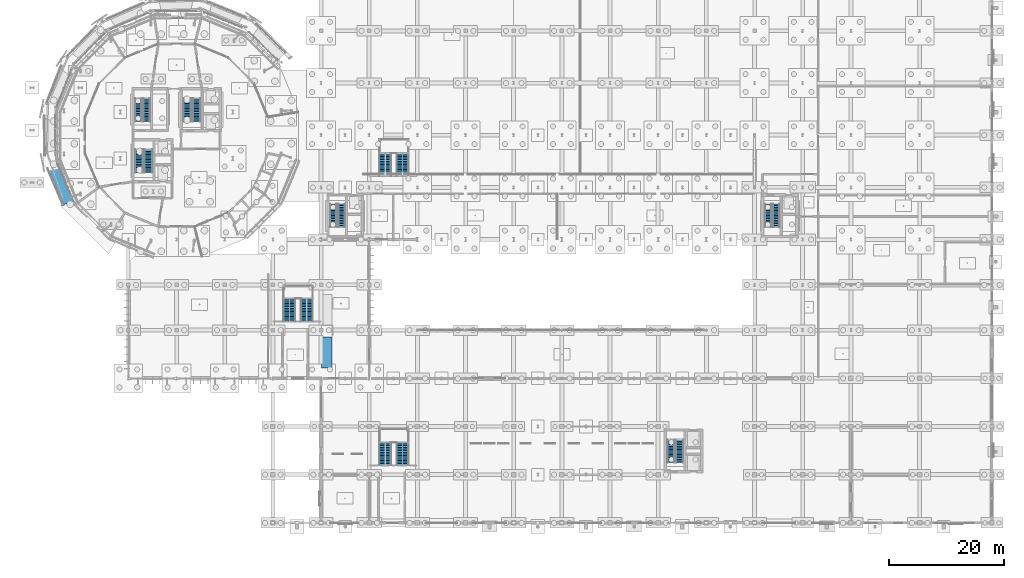
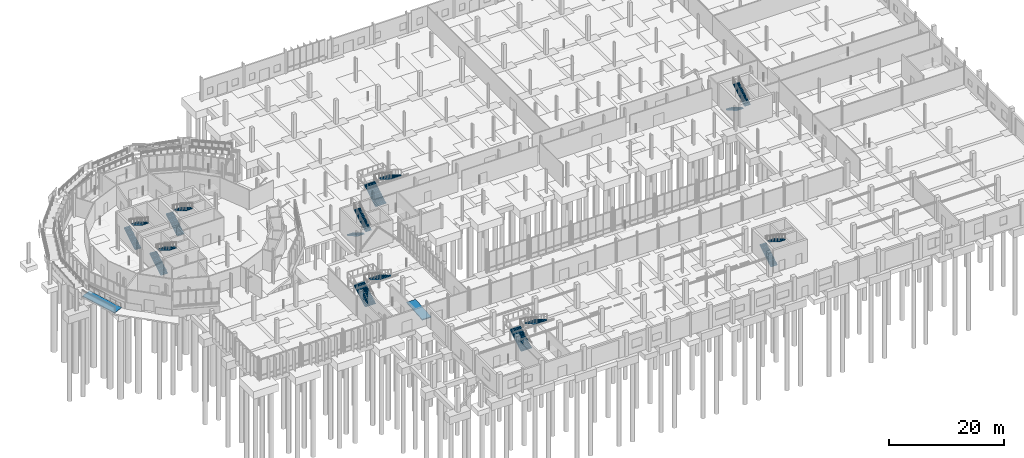
# One storey, part 90 of 119: 18 stair flights, 2 ramp flights, 11 elements without a shape of their own.
"""IFC4 building model written with IfcOpenShell, lengths in metres."""

from ifc_helpers import new_model, si_unit, derived_unit, direction, frame, origin, place, context, subcontext, project, spatial, polyline, outline, extrude, material, layer, layer_set, type_object, element, aggregate, save


model = new_model("IFC4")

# Units and contexts
model_context = context("Model", 3, precision=1e-05, world=origin(), true_north=direction((0.0, 1.0)))
body_context = subcontext(model_context, "Body", "Model", "MODEL_VIEW")
ifc_project = project(units=[si_unit("LENGTHUNIT", "METRE"), si_unit("AREAUNIT", "SQUARE_METRE"), si_unit("VOLUMEUNIT", "CUBIC_METRE"), si_unit("PLANEANGLEUNIT", "RADIAN"), si_unit("MASSUNIT", "GRAM", prefix="KILO"), derived_unit("THERMALTRANSMITTANCEUNIT", [(si_unit("MASSUNIT", "GRAM", prefix="KILO"), 1), (si_unit("TIMEUNIT", "SECOND"), -3), (si_unit("THERMODYNAMICTEMPERATUREUNIT", "KELVIN"), -1)])], contexts=[model_context])

# Site, building, storey
site_placement = place(None, origin())
site = spatial("IfcSite", under=ifc_project, at=site_placement, CompositionType="ELEMENT")
building_placement = place(site_placement, origin())
building = spatial("IfcBuilding", under=site, at=building_placement, Name="Makaiwela Harbour Ferry Terminal", CompositionType="ELEMENT")
storey_placement = place(building_placement, origin())
storey = spatial("IfcBuildingStorey", under=building, at=storey_placement, Name="L00", CompositionType="ELEMENT", Elevation=0.0)

# Stair, stair flights
ifc_material = material(Name="Concrete f'c 35 MPa (5000 psi)", Category="concrete")
stair_type_1 = type_object("IfcStairType", Name="CIR-STR-A01", PredefinedType="HALF_TURN_STAIR", material=ifc_material)
stair_1_placement = place(storey_placement, origin())
stair_1 = element("IfcStair", 1, at=stair_1_placement, inside=storey, type_object=stair_type_1, Name="Stair ST-01-L00", PredefinedType="HALF_TURN_STAIR")
stair_flight_type_1 = type_object("IfcStairFlightType", Name="CIR-FLT-F01", PredefinedType="STRAIGHT", material=ifc_material)
stair_flight_1_placement = place(storey_placement, frame((39.657958984375, 70.0, 0.0), z_axis=(0.0, 0.0, 1.0), x_axis=(0.0, 1.0, 0.0)))
stair_flight_1 = element("IfcStairFlight", 2, at=stair_flight_1_placement, type_object=stair_flight_type_1, Name="Stair Flight ST-01-L00-F1", NumberOfRisers=15, NumberOfTreads=14, PredefinedType="STRAIGHT", RiserHeight=0.17, TreadLength=0.285, context=body_context, shape_type="SweptSolid", body=[
    extrude(outline(polyline([(0.0, 0.0), (0.0, 0.169921875), (0.284912109375, 0.169921875), (0.284912109375, 0.340087890625), (0.570068359375, 0.340087890625), (0.570068359375, 0.510009765625), (0.85498046875, 0.510009765625), (0.85498046875, 0.679931640625), (1.139892578125, 0.679931640625), (1.139892578125, 0.85009765625), (1.425048828125, 0.85009765625), (1.425048828125, 1.02001953125), (1.7099609375, 1.02001953125), (1.7099609375, 1.18994140625), (1.9951171875, 1.18994140625), (1.9951171875, 1.360107421875), (2.280029296875, 1.360107421875), (2.280029296875, 1.530029296875), (2.56494140625, 1.530029296875), (2.56494140625, 1.699951171875), (2.85009765625, 1.699951171875), (2.85009765625, 1.8701171875), (3.135009765625, 1.8701171875), (3.135009765625, 2.0400390625), (3.419921875, 2.0400390625), (3.419921875, 2.2099609375), (3.705078125, 2.2099609375), (3.705078125, 2.3798828125), (3.989990234375, 2.3798828125), (3.989990234375, 2.550048828125), (3.989990234375, 2.17041015625), (0.351318359375, 0.0), (0.0, 0.0)])), frame((0.0, 0.697998046875, 0.0), z_axis=(0.0, -1.0, 0.0), x_axis=(1.0, 0.0, 0.0)), (0.0, 0.0, 1.0), 1.39599609375),
])
stair_flight_2_placement = place(storey_placement, frame((41.333984375, 73.989990234375, 2.550048828125), z_axis=(0.0, 0.0, 1.0), x_axis=(0.0, -1.0, 0.0)))
stair_flight_2 = element("IfcStairFlight", 3, at=stair_flight_2_placement, type_object=stair_flight_type_1, Name="Stair Flight ST-01-L00-F2", NumberOfRisers=15, NumberOfTreads=14, PredefinedType="STRAIGHT", RiserHeight=0.17, TreadLength=0.285, context=body_context, shape_type="SweptSolid", body=[
    extrude(outline(polyline([(0.0, 0.0), (0.0, 0.169921875), (0.284912109375, 0.169921875), (0.284912109375, 0.340087890625), (0.570068359375, 0.340087890625), (0.570068359375, 0.510009765625), (0.85498046875, 0.510009765625), (0.85498046875, 0.679931640625), (1.139892578125, 0.679931640625), (1.139892578125, 0.85009765625), (1.425048828125, 0.85009765625), (1.425048828125, 1.02001953125), (1.7099609375, 1.02001953125), (1.7099609375, 1.18994140625), (1.9951171875, 1.18994140625), (1.9951171875, 1.360107421875), (2.280029296875, 1.360107421875), (2.280029296875, 1.530029296875), (2.56494140625, 1.530029296875), (2.56494140625, 1.699951171875), (2.85009765625, 1.699951171875), (2.85009765625, 1.8701171875), (3.135009765625, 1.8701171875), (3.135009765625, 2.0400390625), (3.419921875, 2.0400390625), (3.419921875, 2.2099609375), (3.705078125, 2.2099609375), (3.705078125, 2.3798828125), (3.989990234375, 2.3798828125), (3.989990234375, 2.550048828125), (3.989990234375, 2.17041015625), (0.351318359375, 0.0), (0.0, 0.0)])), frame((0.0, 0.697998046875, 0.0), z_axis=(0.0, -1.0, 0.0), x_axis=(1.0, 0.0, 0.0)), (0.0, 0.0, 1.0), 1.39599609375),
])
aggregate(stair_1, [stair_flight_1, stair_flight_2])

stair_2_placement = place(storey_placement, origin())
stair_2 = element("IfcStair", 4, at=stair_2_placement, inside=storey, type_object=stair_type_1, Name="Stair ST-02-L00", PredefinedType="HALF_TURN_STAIR")
stair_flight_3_placement = place(storey_placement, frame((31.258056640625, 61.10009765625, 0.0), z_axis=(0.0, 0.0, 1.0), x_axis=(0.0, 1.0, 0.0)))
stair_flight_3 = element("IfcStairFlight", 5, at=stair_flight_3_placement, type_object=stair_flight_type_1, Name="Stair Flight ST-02-L00-F1", NumberOfRisers=15, NumberOfTreads=14, PredefinedType="STRAIGHT", RiserHeight=0.17, TreadLength=0.285, context=body_context, shape_type="SweptSolid", body=[
    extrude(outline(polyline([(0.0, 0.0), (0.0, 0.169921875), (0.284912109375, 0.169921875), (0.284912109375, 0.340087890625), (0.570068359375, 0.340087890625), (0.570068359375, 0.510009765625), (0.85498046875, 0.510009765625), (0.85498046875, 0.679931640625), (1.139892578125, 0.679931640625), (1.139892578125, 0.85009765625), (1.425048828125, 0.85009765625), (1.425048828125, 1.02001953125), (1.7099609375, 1.02001953125), (1.7099609375, 1.18994140625), (1.9951171875, 1.18994140625), (1.9951171875, 1.360107421875), (2.280029296875, 1.360107421875), (2.280029296875, 1.530029296875), (2.56494140625, 1.530029296875), (2.56494140625, 1.699951171875), (2.85009765625, 1.699951171875), (2.85009765625, 1.8701171875), (3.135009765625, 1.8701171875), (3.135009765625, 2.0400390625), (3.419921875, 2.0400390625), (3.419921875, 2.2099609375), (3.705078125, 2.2099609375), (3.705078125, 2.3798828125), (3.989990234375, 2.3798828125), (3.989990234375, 2.550048828125), (3.989990234375, 2.17041015625), (0.351318359375, 0.0), (0.0, 0.0)])), frame((0.0, 0.697998046875, 0.0), z_axis=(0.0, -1.0, 0.0), x_axis=(1.0, 0.0, 0.0)), (0.0, 0.0, 1.0), 1.39599609375),
])
stair_flight_4_placement = place(storey_placement, frame((32.93408203125, 65.090087890625, 2.550048828125), z_axis=(0.0, 0.0, 1.0), x_axis=(0.0, -1.0, 0.0)))
stair_flight_4 = element("IfcStairFlight", 6, at=stair_flight_4_placement, type_object=stair_flight_type_1, Name="Stair Flight ST-02-L00-F2", NumberOfRisers=15, NumberOfTreads=14, PredefinedType="STRAIGHT", RiserHeight=0.17, TreadLength=0.285, context=body_context, shape_type="SweptSolid", body=[
    extrude(outline(polyline([(0.0, 0.0), (0.0, 0.169921875), (0.284912109375, 0.169921875), (0.284912109375, 0.340087890625), (0.570068359375, 0.340087890625), (0.570068359375, 0.510009765625), (0.85498046875, 0.510009765625), (0.85498046875, 0.679931640625), (1.139892578125, 0.679931640625), (1.139892578125, 0.85009765625), (1.425048828125, 0.85009765625), (1.425048828125, 1.02001953125), (1.7099609375, 1.02001953125), (1.7099609375, 1.18994140625), (1.9951171875, 1.18994140625), (1.9951171875, 1.360107421875), (2.280029296875, 1.360107421875), (2.280029296875, 1.530029296875), (2.56494140625, 1.530029296875), (2.56494140625, 1.699951171875), (2.85009765625, 1.699951171875), (2.85009765625, 1.8701171875), (3.135009765625, 1.8701171875), (3.135009765625, 2.0400390625), (3.419921875, 2.0400390625), (3.419921875, 2.2099609375), (3.705078125, 2.2099609375), (3.705078125, 2.3798828125), (3.989990234375, 2.3798828125), (3.989990234375, 2.550048828125), (3.989990234375, 2.17041015625), (0.351318359375, 0.0), (0.0, 0.0)])), frame((0.0, 0.697998046875, 0.0), z_axis=(0.0, -1.0, 0.0), x_axis=(1.0, 0.0, 0.0)), (0.0, 0.0, 1.0), 1.39599609375),
])
aggregate(stair_2, [stair_flight_3, stair_flight_4])

stair_type_2 = type_object("IfcStairType", Name="CIR-STR-A05", PredefinedType="HALF_TURN_STAIR", material=ifc_material)
stair_3_placement = place(storey_placement, origin())
stair_3 = element("IfcStair", 7, at=stair_3_placement, inside=storey, type_object=stair_type_2, Name="Stair ST-03-L00", PredefinedType="HALF_TURN_STAIR")
stair_flight_type_2 = type_object("IfcStairFlightType", Name="CIR-FLT-F05", PredefinedType="STRAIGHT", material=ifc_material)
stair_flight_5_placement = place(storey_placement, frame((31.14990234375, 70.0, 0.0), z_axis=(0.0, 0.0, 1.0), x_axis=(0.0, 1.0, 0.0)))
stair_flight_5 = element("IfcStairFlight", 8, at=stair_flight_5_placement, type_object=stair_flight_type_2, Name="Stair Flight ST-03-L00-F1", NumberOfRisers=15, NumberOfTreads=14, PredefinedType="STRAIGHT", RiserHeight=0.17, TreadLength=0.285, context=body_context, shape_type="SweptSolid", body=[
    extrude(outline(polyline([(0.0, 0.0), (0.0, 0.169921875), (0.284912109375, 0.169921875), (0.284912109375, 0.340087890625), (0.570068359375, 0.340087890625), (0.570068359375, 0.510009765625), (0.85498046875, 0.510009765625), (0.85498046875, 0.679931640625), (1.139892578125, 0.679931640625), (1.139892578125, 0.85009765625), (1.425048828125, 0.85009765625), (1.425048828125, 1.02001953125), (1.7099609375, 1.02001953125), (1.7099609375, 1.18994140625), (1.9951171875, 1.18994140625), (1.9951171875, 1.360107421875), (2.280029296875, 1.360107421875), (2.280029296875, 1.530029296875), (2.56494140625, 1.530029296875), (2.56494140625, 1.699951171875), (2.85009765625, 1.699951171875), (2.85009765625, 1.8701171875), (3.135009765625, 1.8701171875), (3.135009765625, 2.0400390625), (3.419921875, 2.0400390625), (3.419921875, 2.2099609375), (3.705078125, 2.2099609375), (3.705078125, 2.3798828125), (3.989990234375, 2.3798828125), (3.989990234375, 2.550048828125), (3.989990234375, 2.17041015625), (0.351318359375, 0.0), (0.0, 0.0)])), frame((0.0, 0.58984375, 0.0), z_axis=(0.0, -1.0, 0.0), x_axis=(1.0, 0.0, 0.0)), (0.0, 0.0, 1.0), 1.179931640625),
])
stair_flight_6_placement = place(storey_placement, frame((32.610107421875, 73.989990234375, 2.550048828125), z_axis=(0.0, 0.0, 1.0), x_axis=(0.0, -1.0, 0.0)))
stair_flight_6 = element("IfcStairFlight", 9, at=stair_flight_6_placement, type_object=stair_flight_type_2, Name="Stair Flight ST-03-L00-F2", NumberOfRisers=15, NumberOfTreads=14, PredefinedType="STRAIGHT", RiserHeight=0.17, TreadLength=0.285, context=body_context, shape_type="SweptSolid", body=[
    extrude(outline(polyline([(0.0, 0.0), (0.0, 0.169921875), (0.284912109375, 0.169921875), (0.284912109375, 0.340087890625), (0.570068359375, 0.340087890625), (0.570068359375, 0.510009765625), (0.85498046875, 0.510009765625), (0.85498046875, 0.679931640625), (1.139892578125, 0.679931640625), (1.139892578125, 0.85009765625), (1.425048828125, 0.85009765625), (1.425048828125, 1.02001953125), (1.7099609375, 1.02001953125), (1.7099609375, 1.18994140625), (1.9951171875, 1.18994140625), (1.9951171875, 1.360107421875), (2.280029296875, 1.360107421875), (2.280029296875, 1.530029296875), (2.56494140625, 1.530029296875), (2.56494140625, 1.699951171875), (2.85009765625, 1.699951171875), (2.85009765625, 1.8701171875), (3.135009765625, 1.8701171875), (3.135009765625, 2.0400390625), (3.419921875, 2.0400390625), (3.419921875, 2.2099609375), (3.705078125, 2.2099609375), (3.705078125, 2.3798828125), (3.989990234375, 2.3798828125), (3.989990234375, 2.550048828125), (3.989990234375, 2.17041015625), (0.351318359375, 0.0), (0.0, 0.0)])), frame((0.0, 0.58984375, 0.0), z_axis=(0.0, -1.0, 0.0), x_axis=(1.0, 0.0, 0.0)), (0.0, 0.0, 1.0), 1.179931640625),
])
aggregate(stair_3, [stair_flight_5, stair_flight_6])

stair_4_placement = place(storey_placement, origin())
stair_4 = element("IfcStair", 10, at=stair_4_placement, inside=storey, type_object=stair_type_2, Name="Stair ST-04-L00", PredefinedType="HALF_TURN_STAIR")
stair_flight_7_placement = place(storey_placement, frame((65.14990234375, 55.60009765625, 0.0), z_axis=(0.0, 0.0, 1.0), x_axis=(0.0, -1.0, 0.0)))
stair_flight_7 = element("IfcStairFlight", 11, at=stair_flight_7_placement, type_object=stair_flight_type_2, Name="Stair Flight ST-04-L00-F1", NumberOfRisers=15, NumberOfTreads=14, PredefinedType="STRAIGHT", RiserHeight=0.17, TreadLength=0.285, context=body_context, shape_type="SweptSolid", body=[
    extrude(outline(polyline([(0.0, 0.0), (0.0, 0.169921875), (0.284912109375, 0.169921875), (0.284912109375, 0.340087890625), (0.570068359375, 0.340087890625), (0.570068359375, 0.510009765625), (0.85498046875, 0.510009765625), (0.85498046875, 0.679931640625), (1.139892578125, 0.679931640625), (1.139892578125, 0.85009765625), (1.425048828125, 0.85009765625), (1.425048828125, 1.02001953125), (1.7099609375, 1.02001953125), (1.7099609375, 1.18994140625), (1.9951171875, 1.18994140625), (1.9951171875, 1.360107421875), (2.280029296875, 1.360107421875), (2.280029296875, 1.530029296875), (2.56494140625, 1.530029296875), (2.56494140625, 1.699951171875), (2.85009765625, 1.699951171875), (2.85009765625, 1.8701171875), (3.135009765625, 1.8701171875), (3.135009765625, 2.0400390625), (3.419921875, 2.0400390625), (3.419921875, 2.2099609375), (3.705078125, 2.2099609375), (3.705078125, 2.3798828125), (3.989990234375, 2.3798828125), (3.989990234375, 2.550048828125), (3.989990234375, 2.17041015625), (0.351318359375, 0.0), (0.0, 0.0)])), frame((0.0, 0.58984375, 0.0), z_axis=(0.0, -1.0, 0.0), x_axis=(1.0, 0.0, 0.0)), (0.0, 0.0, 1.0), 1.179931640625),
])
stair_flight_8_placement = place(storey_placement, frame((66.610107421875, 51.610107421875, 2.550048828125), z_axis=(0.0, 0.0, 1.0), x_axis=(0.0, 1.0, 0.0)))
stair_flight_8 = element("IfcStairFlight", 12, at=stair_flight_8_placement, type_object=stair_flight_type_2, Name="Stair Flight ST-04-L00-F2", NumberOfRisers=15, NumberOfTreads=14, PredefinedType="STRAIGHT", RiserHeight=0.17, TreadLength=0.285, context=body_context, shape_type="SweptSolid", body=[
    extrude(outline(polyline([(0.0, 0.0), (0.0, 0.169921875), (0.284912109375, 0.169921875), (0.284912109375, 0.340087890625), (0.570068359375, 0.340087890625), (0.570068359375, 0.510009765625), (0.85498046875, 0.510009765625), (0.85498046875, 0.679931640625), (1.139892578125, 0.679931640625), (1.139892578125, 0.85009765625), (1.425048828125, 0.85009765625), (1.425048828125, 1.02001953125), (1.7099609375, 1.02001953125), (1.7099609375, 1.18994140625), (1.9951171875, 1.18994140625), (1.9951171875, 1.360107421875), (2.280029296875, 1.360107421875), (2.280029296875, 1.530029296875), (2.56494140625, 1.530029296875), (2.56494140625, 1.699951171875), (2.85009765625, 1.699951171875), (2.85009765625, 1.8701171875), (3.135009765625, 1.8701171875), (3.135009765625, 2.0400390625), (3.419921875, 2.0400390625), (3.419921875, 2.2099609375), (3.705078125, 2.2099609375), (3.705078125, 2.3798828125), (3.989990234375, 2.3798828125), (3.989990234375, 2.550048828125), (3.989990234375, 2.17041015625), (0.351318359375, 0.0), (0.0, 0.0)])), frame((0.0, 0.58984375, 0.0), z_axis=(0.0, -1.0, 0.0), x_axis=(1.0, 0.0, 0.0)), (0.0, 0.0, 1.0), 1.179931640625),
])
aggregate(stair_4, [stair_flight_7, stair_flight_8])

stair_5_placement = place(storey_placement, origin())
stair_5 = element("IfcStair", 13, at=stair_5_placement, inside=storey, type_object=stair_type_2, Name="Stair ST-05-L00", PredefinedType="HALF_TURN_STAIR")
stair_flight_9_placement = place(storey_placement, frame((140.949951171875, 55.60009765625, 0.0), z_axis=(0.0, 0.0, 1.0), x_axis=(0.0, -1.0, 0.0)))
stair_flight_9 = element("IfcStairFlight", 14, at=stair_flight_9_placement, type_object=stair_flight_type_2, Name="Stair Flight ST-05-L00-F1", NumberOfRisers=15, NumberOfTreads=14, PredefinedType="STRAIGHT", RiserHeight=0.17, TreadLength=0.285, context=body_context, shape_type="SweptSolid", body=[
    extrude(outline(polyline([(0.0, 0.0), (0.0, 0.169921875), (0.284912109375, 0.169921875), (0.284912109375, 0.340087890625), (0.570068359375, 0.340087890625), (0.570068359375, 0.510009765625), (0.85498046875, 0.510009765625), (0.85498046875, 0.679931640625), (1.139892578125, 0.679931640625), (1.139892578125, 0.85009765625), (1.425048828125, 0.85009765625), (1.425048828125, 1.02001953125), (1.7099609375, 1.02001953125), (1.7099609375, 1.18994140625), (1.9951171875, 1.18994140625), (1.9951171875, 1.360107421875), (2.280029296875, 1.360107421875), (2.280029296875, 1.530029296875), (2.56494140625, 1.530029296875), (2.56494140625, 1.699951171875), (2.85009765625, 1.699951171875), (2.85009765625, 1.8701171875), (3.135009765625, 1.8701171875), (3.135009765625, 2.0400390625), (3.419921875, 2.0400390625), (3.419921875, 2.2099609375), (3.705078125, 2.2099609375), (3.705078125, 2.3798828125), (3.989990234375, 2.3798828125), (3.989990234375, 2.550048828125), (3.989990234375, 2.17041015625), (0.351318359375, 0.0), (0.0, 0.0)])), frame((0.0, 0.58984375, 0.0), z_axis=(0.0, -1.0, 0.0), x_axis=(1.0, 0.0, 0.0)), (0.0, 0.0, 1.0), 1.179931640625),
])
stair_flight_10_placement = place(storey_placement, frame((142.409912109375, 51.610107421875, 2.550048828125), z_axis=(0.0, 0.0, 1.0), x_axis=(0.0, 1.0, 0.0)))
stair_flight_10 = element("IfcStairFlight", 15, at=stair_flight_10_placement, type_object=stair_flight_type_2, Name="Stair Flight ST-05-L00-F2", NumberOfRisers=15, NumberOfTreads=14, PredefinedType="STRAIGHT", RiserHeight=0.17, TreadLength=0.285, context=body_context, shape_type="SweptSolid", body=[
    extrude(outline(polyline([(0.0, 0.0), (0.0, 0.169921875), (0.284912109375, 0.169921875), (0.284912109375, 0.340087890625), (0.570068359375, 0.340087890625), (0.570068359375, 0.510009765625), (0.85498046875, 0.510009765625), (0.85498046875, 0.679931640625), (1.139892578125, 0.679931640625), (1.139892578125, 0.85009765625), (1.425048828125, 0.85009765625), (1.425048828125, 1.02001953125), (1.7099609375, 1.02001953125), (1.7099609375, 1.18994140625), (1.9951171875, 1.18994140625), (1.9951171875, 1.360107421875), (2.280029296875, 1.360107421875), (2.280029296875, 1.530029296875), (2.56494140625, 1.530029296875), (2.56494140625, 1.699951171875), (2.85009765625, 1.699951171875), (2.85009765625, 1.8701171875), (3.135009765625, 1.8701171875), (3.135009765625, 2.0400390625), (3.419921875, 2.0400390625), (3.419921875, 2.2099609375), (3.705078125, 2.2099609375), (3.705078125, 2.3798828125), (3.989990234375, 2.3798828125), (3.989990234375, 2.550048828125), (3.989990234375, 2.17041015625), (0.351318359375, 0.0), (0.0, 0.0)])), frame((0.0, 0.58984375, 0.0), z_axis=(0.0, -1.0, 0.0), x_axis=(1.0, 0.0, 0.0)), (0.0, 0.0, 1.0), 1.179931640625),
])
aggregate(stair_5, [stair_flight_9, stair_flight_10])

stair_type_3 = type_object("IfcStairType", Name="CIR-STR-A09", PredefinedType="HALF_TURN_STAIR", material=ifc_material)
stair_6_placement = place(storey_placement, origin())
stair_6 = element("IfcStair", 16, at=stair_6_placement, inside=storey, type_object=stair_type_3, Name="Stair ST-06-L00", PredefinedType="HALF_TURN_STAIR")
stair_flight_type_3 = type_object("IfcStairFlightType", Name="CIR-FLT-F09", PredefinedType="STRAIGHT", material=ifc_material)
stair_flight_11_placement = place(storey_placement, frame((124.00390625, 10.5, 0.0), z_axis=(0.0, 0.0, 1.0), x_axis=(0.0, 1.0, 0.0)))
stair_flight_11 = element("IfcStairFlight", 17, at=stair_flight_11_placement, type_object=stair_flight_type_3, Name="Stair Flight ST-06-L00-F1", NumberOfRisers=15, NumberOfTreads=14, PredefinedType="STRAIGHT", RiserHeight=0.17, TreadLength=0.285, context=body_context, shape_type="SweptSolid", body=[
    extrude(outline(polyline([(0.0, 0.0), (0.0, 0.169921875), (0.284912109375, 0.169921875), (0.284912109375, 0.340087890625), (0.570068359375, 0.340087890625), (0.570068359375, 0.510009765625), (0.85498046875, 0.510009765625), (0.85498046875, 0.679931640625), (1.139892578125, 0.679931640625), (1.139892578125, 0.85009765625), (1.425048828125, 0.85009765625), (1.425048828125, 1.02001953125), (1.7099609375, 1.02001953125), (1.7099609375, 1.18994140625), (1.9951171875, 1.18994140625), (1.9951171875, 1.360107421875), (2.280029296875, 1.360107421875), (2.280029296875, 1.530029296875), (2.56494140625, 1.530029296875), (2.56494140625, 1.699951171875), (2.85009765625, 1.699951171875), (2.85009765625, 1.8701171875), (3.135009765625, 1.8701171875), (3.135009765625, 2.0400390625), (3.419921875, 2.0400390625), (3.419921875, 2.2099609375), (3.705078125, 2.2099609375), (3.705078125, 2.3798828125), (3.989990234375, 2.3798828125), (3.989990234375, 2.550048828125), (3.989990234375, 2.17041015625), (0.351318359375, 0.0), (0.0, 0.0)])), frame((0.0, 0.64404296875, 0.0), z_axis=(0.0, -1.0, 0.0), x_axis=(1.0, 0.0, 0.0)), (0.0, 0.0, 1.0), 1.2880859375),
])
stair_flight_12_placement = place(storey_placement, frame((125.572021484375, 14.489990234375, 2.550048828125), z_axis=(0.0, 0.0, 1.0), x_axis=(0.0, -1.0, 0.0)))
stair_flight_12 = element("IfcStairFlight", 18, at=stair_flight_12_placement, type_object=stair_flight_type_3, Name="Stair Flight ST-06-L00-F2", NumberOfRisers=15, NumberOfTreads=14, PredefinedType="STRAIGHT", RiserHeight=0.17, TreadLength=0.285, context=body_context, shape_type="SweptSolid", body=[
    extrude(outline(polyline([(0.0, 0.0), (0.0, 0.169921875), (0.284912109375, 0.169921875), (0.284912109375, 0.340087890625), (0.570068359375, 0.340087890625), (0.570068359375, 0.510009765625), (0.85498046875, 0.510009765625), (0.85498046875, 0.679931640625), (1.139892578125, 0.679931640625), (1.139892578125, 0.85009765625), (1.425048828125, 0.85009765625), (1.425048828125, 1.02001953125), (1.7099609375, 1.02001953125), (1.7099609375, 1.18994140625), (1.9951171875, 1.18994140625), (1.9951171875, 1.360107421875), (2.280029296875, 1.360107421875), (2.280029296875, 1.530029296875), (2.56494140625, 1.530029296875), (2.56494140625, 1.699951171875), (2.85009765625, 1.699951171875), (2.85009765625, 1.8701171875), (3.135009765625, 1.8701171875), (3.135009765625, 2.0400390625), (3.419921875, 2.0400390625), (3.419921875, 2.2099609375), (3.705078125, 2.2099609375), (3.705078125, 2.3798828125), (3.989990234375, 2.3798828125), (3.989990234375, 2.550048828125), (3.989990234375, 2.17041015625), (0.351318359375, 0.0), (0.0, 0.0)])), frame((0.0, 0.64404296875, 0.0), z_axis=(0.0, -1.0, 0.0), x_axis=(1.0, 0.0, 0.0)), (0.0, 0.0, 1.0), 1.2880859375),
])
aggregate(stair_6, [stair_flight_11, stair_flight_12])

stair_type_4 = type_object("IfcStairType", Name="CIR-STR-A10", PredefinedType="STRAIGHT_RUN_STAIR", material=ifc_material)
stair_7_placement = place(storey_placement, origin())
stair_7 = element("IfcStair", 19, at=stair_7_placement, inside=storey, type_object=stair_type_4, Name="Stair ST-07-L00", PredefinedType="STRAIGHT_RUN_STAIR")
stair_flight_type_4 = type_object("IfcStairFlightType", Name="CIR-FLT-F10", PredefinedType="STRAIGHT", material=ifc_material)
stair_flight_13_placement = place(storey_placement, frame((74.18994140625, 10.030029296875, 0.0), z_axis=(0.0, 0.0, 1.0), x_axis=(0.0, 1.0, 0.0)))
stair_flight_13 = element("IfcStairFlight", 20, at=stair_flight_13_placement, type_object=stair_flight_type_4, Name="Stair Flight ST-07-L00-F1", NumberOfRisers=15, NumberOfTreads=14, PredefinedType="STRAIGHT", RiserHeight=0.17, TreadLength=0.285, context=body_context, shape_type="SweptSolid", body=[
    extrude(outline(polyline([(0.0, 0.0), (0.0, 0.169921875), (0.284912109375, 0.169921875), (0.284912109375, 0.340087890625), (0.570068359375, 0.340087890625), (0.570068359375, 0.510009765625), (0.85498046875, 0.510009765625), (0.85498046875, 0.679931640625), (1.139892578125, 0.679931640625), (1.139892578125, 0.85009765625), (1.425048828125, 0.85009765625), (1.425048828125, 1.02001953125), (1.7099609375, 1.02001953125), (1.7099609375, 1.18994140625), (1.9951171875, 1.18994140625), (1.9951171875, 1.360107421875), (2.280029296875, 1.360107421875), (2.280029296875, 1.530029296875), (2.56494140625, 1.530029296875), (2.56494140625, 1.699951171875), (2.85009765625, 1.699951171875), (2.85009765625, 1.8701171875), (3.135009765625, 1.8701171875), (3.135009765625, 2.0400390625), (3.419921875, 2.0400390625), (3.419921875, 2.2099609375), (3.705078125, 2.2099609375), (3.705078125, 2.3798828125), (3.989990234375, 2.3798828125), (3.989990234375, 2.550048828125), (3.989990234375, 2.17041015625), (0.351318359375, 0.0), (0.0, 0.0)])), frame((0.0, 1.050048828125, 0.0), z_axis=(0.0, -1.0, 0.0), x_axis=(1.0, 0.0, 0.0)), (0.0, 0.0, 1.0), 2.10009765625),
])
stair_flight_14_placement = place(storey_placement, frame((77.2099609375, 14.02001953125, 2.550048828125), z_axis=(0.0, 0.0, 1.0), x_axis=(0.0, -1.0, 0.0)))
stair_flight_14 = element("IfcStairFlight", 21, at=stair_flight_14_placement, type_object=stair_flight_type_4, Name="Stair Flight ST-07-L00-F2", NumberOfRisers=15, NumberOfTreads=14, PredefinedType="STRAIGHT", RiserHeight=0.17, TreadLength=0.285, context=body_context, shape_type="SweptSolid", body=[
    extrude(outline(polyline([(0.0, 0.0), (0.0, 0.169921875), (0.284912109375, 0.169921875), (0.284912109375, 0.340087890625), (0.570068359375, 0.340087890625), (0.570068359375, 0.510009765625), (0.85498046875, 0.510009765625), (0.85498046875, 0.679931640625), (1.139892578125, 0.679931640625), (1.139892578125, 0.85009765625), (1.425048828125, 0.85009765625), (1.425048828125, 1.02001953125), (1.7099609375, 1.02001953125), (1.7099609375, 1.18994140625), (1.9951171875, 1.18994140625), (1.9951171875, 1.360107421875), (2.280029296875, 1.360107421875), (2.280029296875, 1.530029296875), (2.56494140625, 1.530029296875), (2.56494140625, 1.699951171875), (2.85009765625, 1.699951171875), (2.85009765625, 1.8701171875), (3.135009765625, 1.8701171875), (3.135009765625, 2.0400390625), (3.419921875, 2.0400390625), (3.419921875, 2.2099609375), (3.705078125, 2.2099609375), (3.705078125, 2.3798828125), (3.989990234375, 2.3798828125), (3.989990234375, 2.550048828125), (3.989990234375, 2.17041015625), (0.351318359375, 0.0), (0.0, 0.0)])), frame((0.0, 1.050048828125, 0.0), z_axis=(0.0, -1.0, 0.0), x_axis=(1.0, 0.0, 0.0)), (0.0, 0.0, 1.0), 2.10009765625),
])
aggregate(stair_7, [stair_flight_13, stair_flight_14])

stair_8_placement = place(storey_placement, origin())
stair_8 = element("IfcStair", 22, at=stair_8_placement, inside=storey, type_object=stair_type_4, Name="Stair ST-08-L00", PredefinedType="STRAIGHT_RUN_STAIR")
stair_flight_15_placement = place(storey_placement, frame((74.18994140625, 60.47998046875, 0.0), z_axis=(0.0, 0.0, 1.0), x_axis=(0.0, 1.0, 0.0)))
stair_flight_15 = element("IfcStairFlight", 23, at=stair_flight_15_placement, type_object=stair_flight_type_4, Name="Stair Flight ST-08-L00-F1", NumberOfRisers=15, NumberOfTreads=14, PredefinedType="STRAIGHT", RiserHeight=0.17, TreadLength=0.285, context=body_context, shape_type="SweptSolid", body=[
    extrude(outline(polyline([(0.0, 0.0), (0.0, 0.169921875), (0.284912109375, 0.169921875), (0.284912109375, 0.340087890625), (0.570068359375, 0.340087890625), (0.570068359375, 0.510009765625), (0.85498046875, 0.510009765625), (0.85498046875, 0.679931640625), (1.139892578125, 0.679931640625), (1.139892578125, 0.85009765625), (1.425048828125, 0.85009765625), (1.425048828125, 1.02001953125), (1.7099609375, 1.02001953125), (1.7099609375, 1.18994140625), (1.9951171875, 1.18994140625), (1.9951171875, 1.360107421875), (2.280029296875, 1.360107421875), (2.280029296875, 1.530029296875), (2.56494140625, 1.530029296875), (2.56494140625, 1.699951171875), (2.85009765625, 1.699951171875), (2.85009765625, 1.8701171875), (3.135009765625, 1.8701171875), (3.135009765625, 2.0400390625), (3.419921875, 2.0400390625), (3.419921875, 2.2099609375), (3.705078125, 2.2099609375), (3.705078125, 2.3798828125), (3.989990234375, 2.3798828125), (3.989990234375, 2.550048828125), (3.989990234375, 2.17041015625), (0.351318359375, 0.0), (0.0, 0.0)])), frame((0.0, 1.050048828125, 0.0), z_axis=(0.0, -1.0, 0.0), x_axis=(1.0, 0.0, 0.0)), (0.0, 0.0, 1.0), 2.10009765625),
])
stair_flight_16_placement = place(storey_placement, frame((77.2099609375, 64.469970703125, 2.550048828125), z_axis=(0.0, 0.0, 1.0), x_axis=(0.0, -1.0, 0.0)))
stair_flight_16 = element("IfcStairFlight", 24, at=stair_flight_16_placement, type_object=stair_flight_type_4, Name="Stair Flight ST-08-L00-F2", NumberOfRisers=15, NumberOfTreads=14, PredefinedType="STRAIGHT", RiserHeight=0.17, TreadLength=0.285, context=body_context, shape_type="SweptSolid", body=[
    extrude(outline(polyline([(0.0, 0.0), (0.0, 0.169921875), (0.284912109375, 0.169921875), (0.284912109375, 0.340087890625), (0.570068359375, 0.340087890625), (0.570068359375, 0.510009765625), (0.85498046875, 0.510009765625), (0.85498046875, 0.679931640625), (1.139892578125, 0.679931640625), (1.139892578125, 0.85009765625), (1.425048828125, 0.85009765625), (1.425048828125, 1.02001953125), (1.7099609375, 1.02001953125), (1.7099609375, 1.18994140625), (1.9951171875, 1.18994140625), (1.9951171875, 1.360107421875), (2.280029296875, 1.360107421875), (2.280029296875, 1.530029296875), (2.56494140625, 1.530029296875), (2.56494140625, 1.699951171875), (2.85009765625, 1.699951171875), (2.85009765625, 1.8701171875), (3.135009765625, 1.8701171875), (3.135009765625, 2.0400390625), (3.419921875, 2.0400390625), (3.419921875, 2.2099609375), (3.705078125, 2.2099609375), (3.705078125, 2.3798828125), (3.989990234375, 2.3798828125), (3.989990234375, 2.550048828125), (3.989990234375, 2.17041015625), (0.351318359375, 0.0), (0.0, 0.0)])), frame((0.0, 1.050048828125, 0.0), z_axis=(0.0, -1.0, 0.0), x_axis=(1.0, 0.0, 0.0)), (0.0, 0.0, 1.0), 2.10009765625),
])
aggregate(stair_8, [stair_flight_15, stair_flight_16])

stair_9_placement = place(storey_placement, origin())
stair_9 = element("IfcStair", 25, at=stair_9_placement, inside=storey, type_object=stair_type_4, Name="Stair ST-10-L00", PredefinedType="STRAIGHT_RUN_STAIR")
stair_flight_17_placement = place(storey_placement, frame((57.489990234375, 35.1298828125, 0.0), z_axis=(0.0, 0.0, 1.0), x_axis=(0.0, 1.0, 0.0)))
stair_flight_17 = element("IfcStairFlight", 26, at=stair_flight_17_placement, type_object=stair_flight_type_4, Name="Stair Flight ST-10-L00-F1", NumberOfRisers=15, NumberOfTreads=14, PredefinedType="STRAIGHT", RiserHeight=0.17, TreadLength=0.285, context=body_context, shape_type="SweptSolid", body=[
    extrude(outline(polyline([(0.0, 0.0), (0.0, 0.169921875), (0.284912109375, 0.169921875), (0.284912109375, 0.340087890625), (0.570068359375, 0.340087890625), (0.570068359375, 0.510009765625), (0.85498046875, 0.510009765625), (0.85498046875, 0.679931640625), (1.139892578125, 0.679931640625), (1.139892578125, 0.85009765625), (1.425048828125, 0.85009765625), (1.425048828125, 1.02001953125), (1.7099609375, 1.02001953125), (1.7099609375, 1.18994140625), (1.9951171875, 1.18994140625), (1.9951171875, 1.360107421875), (2.280029296875, 1.360107421875), (2.280029296875, 1.530029296875), (2.56494140625, 1.530029296875), (2.56494140625, 1.699951171875), (2.85009765625, 1.699951171875), (2.85009765625, 1.8701171875), (3.135009765625, 1.8701171875), (3.135009765625, 2.0400390625), (3.419921875, 2.0400390625), (3.419921875, 2.2099609375), (3.705078125, 2.2099609375), (3.705078125, 2.3798828125), (3.989990234375, 2.3798828125), (3.989990234375, 2.550048828125), (3.989990234375, 2.17041015625), (0.351318359375, 0.0), (0.0, 0.0)])), frame((0.0, 1.050048828125, 0.0), z_axis=(0.0, -1.0, 0.0), x_axis=(1.0, 0.0, 0.0)), (0.0, 0.0, 1.0), 2.10009765625),
])
stair_flight_18_placement = place(storey_placement, frame((60.510009765625, 39.1201171875, 2.550048828125), z_axis=(0.0, 0.0, 1.0), x_axis=(0.0, -1.0, 0.0)))
stair_flight_18 = element("IfcStairFlight", 27, at=stair_flight_18_placement, type_object=stair_flight_type_4, Name="Stair Flight ST-10-L00-F2", NumberOfRisers=15, NumberOfTreads=14, PredefinedType="STRAIGHT", RiserHeight=0.17, TreadLength=0.285, context=body_context, shape_type="SweptSolid", body=[
    extrude(outline(polyline([(0.0, 0.0), (0.0, 0.169921875), (0.284912109375, 0.169921875), (0.284912109375, 0.340087890625), (0.570068359375, 0.340087890625), (0.570068359375, 0.510009765625), (0.85498046875, 0.510009765625), (0.85498046875, 0.679931640625), (1.139892578125, 0.679931640625), (1.139892578125, 0.85009765625), (1.425048828125, 0.85009765625), (1.425048828125, 1.02001953125), (1.7099609375, 1.02001953125), (1.7099609375, 1.18994140625), (1.9951171875, 1.18994140625), (1.9951171875, 1.360107421875), (2.280029296875, 1.360107421875), (2.280029296875, 1.530029296875), (2.56494140625, 1.530029296875), (2.56494140625, 1.699951171875), (2.85009765625, 1.699951171875), (2.85009765625, 1.8701171875), (3.135009765625, 1.8701171875), (3.135009765625, 2.0400390625), (3.419921875, 2.0400390625), (3.419921875, 2.2099609375), (3.705078125, 2.2099609375), (3.705078125, 2.3798828125), (3.989990234375, 2.3798828125), (3.989990234375, 2.550048828125), (3.989990234375, 2.17041015625), (0.351318359375, 0.0), (0.0, 0.0)])), frame((0.0, 1.050048828125, 0.0), z_axis=(0.0, -1.0, 0.0), x_axis=(1.0, 0.0, 0.0)), (0.0, 0.0, 1.0), 2.10009765625),
])
aggregate(stair_9, [stair_flight_17, stair_flight_18])

# Ramp, ramp flight
ramp_type = type_object("IfcRampType", Name="CIR-RMP-ASSY", PredefinedType="STRAIGHT_RUN_RAMP", material=ifc_material)
ramp_1_placement = place(storey_placement, origin())
ramp_1 = element("IfcRamp", 28, at=ramp_1_placement, inside=storey, type_object=ramp_type, Name="External Coiled Promenade Ramp L00 to L01", PredefinedType="STRAIGHT_RUN_RAMP")
ifc_layer = layer(ifc_material, 0.179931640625)
ifc_layer_set = layer_set([ifc_layer], Name="Concrete f'c 35 MPa (5000 psi)")
ramp_flight_type = type_object("IfcRampFlightType", Name="CIR-RMP-FLT", PredefinedType="STRAIGHT", material=ifc_layer_set)
ramp_flight_1_placement = place(storey_placement, frame((18.94189453125, 55.805908203125, 0.0), z_axis=(0.0, 0.0, 1.0), x_axis=(-0.394679711695, 0.91881876623, 0.0)))
ramp_flight_1 = element("IfcRampFlight", 29, at=ramp_flight_1_placement, type_object=ramp_flight_type, Name="Ramp Flight L00-F1", PredefinedType="STRAIGHT", context=body_context, shape_type="SweptSolid", body=[
    extrude(outline(polyline([(0.0, 0.0), (6.968017578125, 0.637451171875), (6.968017578125, 0.456787109375), (0.0, -0.1806640625), (0.0, 0.0)])), frame((0.0, 1.0, 0.0), z_axis=(0.0, -1.0, 0.0), x_axis=(1.0, 0.0, 0.0)), (0.0, 0.0, 1.0), 2.0),
])
aggregate(ramp_1, [ramp_flight_1])

ramp_2_placement = place(storey_placement, origin())
ramp_2 = element("IfcRamp", 30, at=ramp_2_placement, inside=storey, type_object=ramp_type, Name="Biosecurity Inspection Accessible Ramp", PredefinedType="STRAIGHT_RUN_RAMP")
ramp_flight_2_placement = place(storey_placement, frame((64.0, 27.0, 0.0), z_axis=(0.0, 0.0, 1.0), x_axis=(0.0, 1.0, 0.0)))
ramp_flight_2 = element("IfcRampFlight", 31, at=ramp_flight_2_placement, type_object=ramp_flight_type, Name="Biosecurity Ramp Flight 1", PredefinedType="STRAIGHT", context=body_context, shape_type="SweptSolid", body=[
    extrude(outline(polyline([(0.0, 0.0), (5.39990234375, 0.419921875), (5.39990234375, 0.239501953125), (0.0, -0.180419921875), (0.0, 0.0)])), frame((0.0, 0.89990234375, 0.0), z_axis=(0.0, -1.0, 0.0), x_axis=(1.0, 0.0, 0.0)), (0.0, 0.0, 1.0), 1.800048828125),
])
aggregate(ramp_2, [ramp_flight_2])

save(model, "model.ifc")
